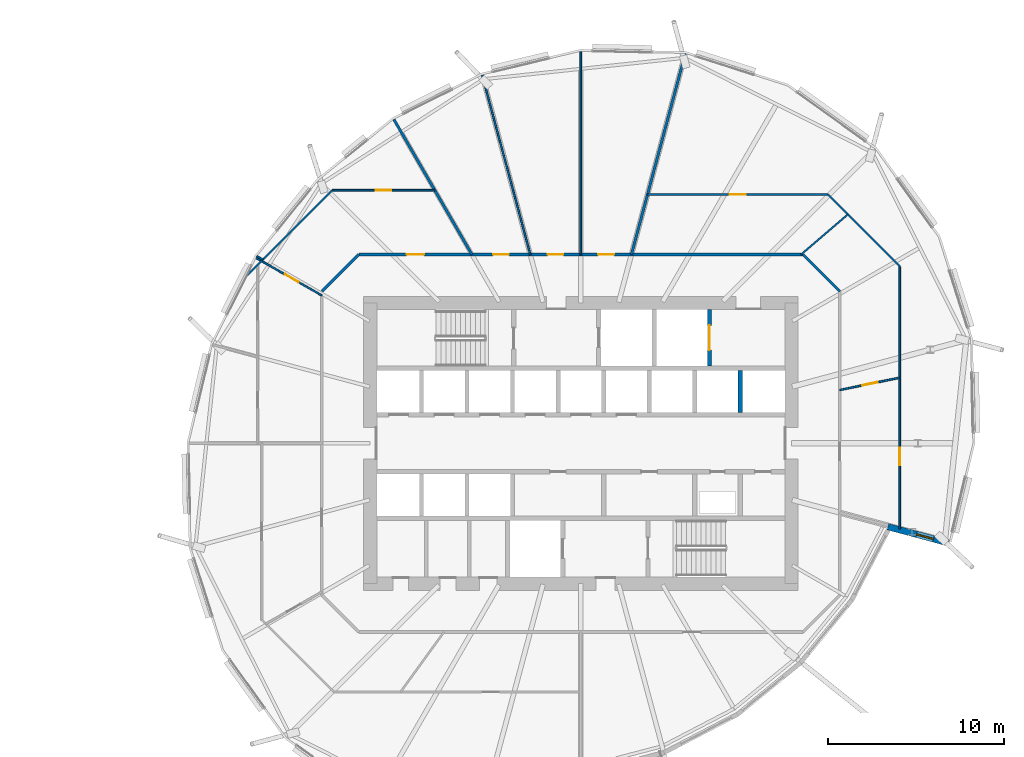
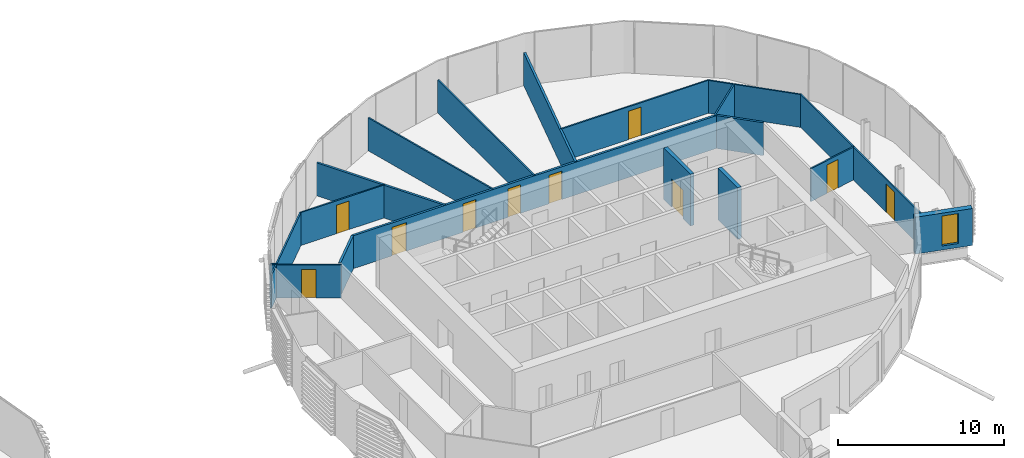
# One storey, part 27 of 43: 20 walls, 10 doors, 1 window, 11 openings.
"""IFC4 building model written with IfcOpenShell, lengths in metres."""

import ifcopenshell
import ifcopenshell.guid

model = None  # the IFC model being written
_history = None  # IfcOwnerHistory: only IFC2X3 demands one
_inside = {}  # id of a spatial element -> (the spatial element, [elements in it])
_under = {}  # id of a project, library or spatial element -> (it, [spatial elements below it])
_declared = {}  # id of a project -> (the project, [libraries it declares])
_typed = {}  # id of a type object -> (the type object, [elements of that type])
_made_of = {}  # id of a material, layer set ... -> (it, [elements and type objects made of it])


def new_model(schema):
    """Start an empty IFC model of exactly this schema.

    Asked for "IFC4X3", IfcOpenShell would pick the latest addendum, in which some entities
    have other attributes; the version numbers below select the first issue.
    IFC2X3 requires an IfcOwnerHistory on every rooted entity: one is made here for all.
    """
    global model, _history
    if schema == "IFC4X3":
        model = ifcopenshell.file(schema_version=(4, 3, 0, 0))
    else:
        model = ifcopenshell.file(schema=schema)
    _inside.clear()
    _under.clear()
    _declared.clear()
    _typed.clear()
    _made_of.clear()
    _history = None
    if model.schema == "IFC2X3":
        org = make("IfcOrganization", Name="unknown")
        user = make(
            "IfcPersonAndOrganization",
            ThePerson=make("IfcPerson", FamilyName="unknown"),
            TheOrganization=org,
        )
        app = make(
            "IfcApplication",
            ApplicationDeveloper=org,
            Version="unknown",
            ApplicationFullName="unknown",
            ApplicationIdentifier="unknown",
        )
        _history = make(
            "IfcOwnerHistory",
            OwningUser=user,
            OwningApplication=app,
            ChangeAction="ADDED",
            CreationDate=0,
        )
    return model


def make(cls, **values):
    """One entity of the class cls with the attributes given. An attribute that is None is left unset."""
    return model.create_entity(
        cls, **{name: value for name, value in values.items() if value is not None}
    )


def rooted(cls, **values):
    """An entity with a GlobalId (a new one), such as an element, a storey or a relation."""
    return make(cls, GlobalId=ifcopenshell.guid.new(), OwnerHistory=_history, **values)


def si_unit(unit_type, name, prefix=None):
    """IfcSIUnit, for example si_unit("LENGTHUNIT", "METRE", prefix="MILLI")."""
    return make("IfcSIUnit", UnitType=unit_type, Prefix=prefix, Name=name)


def assignment(units):
    """IfcUnitAssignment: the units of a project."""
    return None if units is None else make("IfcUnitAssignment", Units=units)


def point(xyz):
    """IfcCartesianPoint."""
    return None if xyz is None else make("IfcCartesianPoint", Coordinates=xyz)


def direction(xyz):
    """IfcDirection."""
    return None if xyz is None else make("IfcDirection", DirectionRatios=xyz)


def frame(location, z_axis=None, x_axis=None):
    """IfcAxis2Placement3D, a coordinate frame: its origin and axes. An axis left out is left unset."""
    return make(
        "IfcAxis2Placement3D",
        Location=point(location),
        Axis=direction(z_axis),
        RefDirection=direction(x_axis),
    )


def frame_2d(location, x_axis=None):
    """IfcAxis2Placement2D, a coordinate frame in the plane: its origin and x axis."""
    return make(
        "IfcAxis2Placement2D", Location=point(location), RefDirection=direction(x_axis)
    )


def origin():
    """The frame at (0, 0, 0) with its axes left unset."""
    return frame((0.0, 0.0, 0.0))


def place(relative_to, where):
    """IfcLocalPlacement: puts the frame where relative to a parent placement (None: the world)."""
    return make(
        "IfcLocalPlacement", PlacementRelTo=relative_to, RelativePlacement=where
    )


def context(
    kind, dimensions, precision=None, world=None, true_north=None, identifier=None
):
    """IfcGeometricRepresentationContext, for example the 3D "Model" context."""
    return make(
        "IfcGeometricRepresentationContext",
        ContextIdentifier=identifier,
        ContextType=kind,
        CoordinateSpaceDimension=dimensions,
        Precision=precision,
        WorldCoordinateSystem=world,
        TrueNorth=true_north,
    )


def subcontext(parent, identifier, kind, view, scale=None):
    """IfcGeometricRepresentationSubContext, for example "Body" below "Model"."""
    return make(
        "IfcGeometricRepresentationSubContext",
        ContextIdentifier=identifier,
        ContextType=kind,
        ParentContext=parent,
        TargetScale=scale,
        TargetView=view,
    )


def project(units=None, contexts=None):
    """IfcProject with its units and contexts."""
    return rooted(
        "IfcProject",
        Name="project",
        RepresentationContexts=contexts,
        UnitsInContext=assignment(units),
    )


def spatial(cls, under=None, at=None, **own):
    """A site, building, storey or space (cls), placed at a placement, below another one or the project."""
    s = rooted(cls, ObjectPlacement=at, **own)
    if under is not None:
        _under.setdefault(under.id(), (under, []))[1].append(s)
    return s


def profile(cls, at=None, kind="AREA", **sizes):
    """A parametric profile (cls). Its sizes go by their IFC names, for example OverallWidth=200.0."""
    return make(cls, ProfileType=kind, Position=at, **sizes)


def rectangle(**sizes):
    """IfcRectangleProfileDef."""
    return profile("IfcRectangleProfileDef", **sizes)


def extrude(swept, where, along, depth):
    """IfcExtrudedAreaSolid: the profile swept, set in the frame where, extruded along a direction by depth."""
    return make(
        "IfcExtrudedAreaSolid",
        SweptArea=swept,
        Position=where,
        ExtrudedDirection=direction(along),
        Depth=depth,
    )


def shape(context_of_items, identifier, shape_type, items):
    """IfcShapeRepresentation: the items that make up one representation, for example the "Body"."""
    return make(
        "IfcShapeRepresentation",
        ContextOfItems=context_of_items,
        RepresentationIdentifier=identifier,
        RepresentationType=shape_type,
        Items=items,
    )


def material(Name=None, Category=None):
    """IfcMaterial."""
    return make("IfcMaterial", Name=Name, Category=Category)


def layer(
    of_material, thickness, ventilated=None, Name=None, Category=None, Priority=None
):
    """IfcMaterialLayer: one layer of a wall or slab, of a material (None: an air gap)."""
    return make(
        "IfcMaterialLayer",
        Material=of_material,
        LayerThickness=thickness,
        IsVentilated=ventilated,
        Name=Name,
        Category=Category,
        Priority=Priority,
    )


def layer_set(layers, Name=None):
    """IfcMaterialLayerSet."""
    return make("IfcMaterialLayerSet", MaterialLayers=layers, LayerSetName=Name)


def made_of(thing, what):
    """Note that an element or type object is made of a material, layer set ...; save() writes the relation."""
    if what is not None:
        _made_of.setdefault(what.id(), (what, []))[1].append(thing)
    return thing


def type_object(cls, material=None, **own):
    """A type object (cls), such as IfcWallType, which elements share."""
    return made_of(rooted(cls, **own), material)


def element(
    cls,
    number,
    at=None,
    inside=None,
    cuts=None,
    type_object=None,
    material=None,
    context=None,
    identifier="Body",
    shape_type=None,
    held_by="IfcProductDefinitionShape",
    body=None,
    shapes=None,
    **own,
):
    """One element of the class cls, such as IfcWall. Its Tag is "e" and its number.

    at: its placement. inside: the storey or other place that contains it. cuts: it is an
    opening in that element (IfcRelVoidsElement). A single representation is given by context,
    identifier, shape_type and body (its items); several are given by shapes. held_by: the class
    of the entity that holds the representations. save() writes the other relations.
    """
    e = rooted(cls, Tag="e%d" % number, ObjectPlacement=at, **own)
    if body is not None:
        shapes = [shape(context, identifier, shape_type, body)]
    if shapes is not None:
        e.Representation = make(held_by, Representations=shapes)
    if inside is not None:
        _inside.setdefault(inside.id(), (inside, []))[1].append(e)
    if cuts is not None:
        rooted(
            "IfcRelVoidsElement", RelatingBuildingElement=cuts, RelatedOpeningElement=e
        )
    if type_object is not None:
        _typed.setdefault(type_object.id(), (type_object, []))[1].append(e)
    return made_of(e, material)


def fill(opening, filler):
    """IfcRelFillsElement: the door or window that sits in an opening."""
    return rooted(
        "IfcRelFillsElement",
        RelatingOpeningElement=opening,
        RelatedBuildingElement=filler,
    )


def aggregate(whole, parts):
    """IfcRelAggregates: a whole, such as a stair, and the parts it consists of."""
    return rooted("IfcRelAggregates", RelatingObject=whole, RelatedObjects=parts)


def save(model, path):
    """Write the relations noted so far, then the file.

    IfcRelAggregates (storeys below a building ...), IfcRelContainedInSpatialStructure (elements
    in a storey), IfcRelDefinesByType, IfcRelAssociatesMaterial and IfcRelDeclares: one each for
    every whole, place, type object, material and project.
    """
    for whole, parts in _under.values():
        aggregate(whole, parts)
    for where, things in _inside.values():
        rooted(
            "IfcRelContainedInSpatialStructure",
            RelatedElements=things,
            RelatingStructure=where,
        )
    for kind, things in _typed.values():
        rooted("IfcRelDefinesByType", RelatedObjects=things, RelatingType=kind)
    for what, things in _made_of.values():
        rooted("IfcRelAssociatesMaterial", RelatedObjects=things, RelatingMaterial=what)
    for by, libraries in _declared.values():
        rooted("IfcRelDeclares", RelatingContext=by, RelatedDefinitions=libraries)
    model.write(path)


model = new_model("IFC4")

# Units and contexts
model_context = context("Model", 3, precision=1e-05, world=origin(), true_north=direction((0.0, 1.0)))
body_context = subcontext(model_context, "Body", "Model", "MODEL_VIEW")
ifc_project = project(units=[si_unit("LENGTHUNIT", "METRE"), si_unit("AREAUNIT", "SQUARE_METRE"), si_unit("VOLUMEUNIT", "CUBIC_METRE"), si_unit("PLANEANGLEUNIT", "RADIAN"), si_unit("MASSUNIT", "GRAM", prefix="KILO")], contexts=[model_context])

# Site, building, storey
site_placement = place(None, origin())
site = spatial("IfcSite", under=ifc_project, at=site_placement, CompositionType="ELEMENT")
building_placement = place(site_placement, origin())
building = spatial("IfcBuilding", under=site, at=building_placement, Name="Rimbun Link Towers", CompositionType="ELEMENT")
storey_placement = place(building_placement, frame((0.0, 0.0, 81.60009765625)))
storey = spatial("IfcBuildingStorey", under=building, at=storey_placement, Name="L19", CompositionType="ELEMENT", Elevation=81.60009765625)

# Wall, opening, window
ifc_material_1 = material(Name="Dark enamelled glass spandrel on insulated aluminium backpan", Category="aluminium")
ifc_layer_1 = layer(ifc_material_1, 0.3701171875)
ifc_layer_set_1 = layer_set([ifc_layer_1], Name="CS dark enamelled spandrel wall 370")
wall_type_1 = type_object("IfcWallType", Name="CS dark enamelled spandrel wall 370", PredefinedType="STANDARD", material=ifc_layer_set_1)
wall_1_placement = place(storey_placement, frame((52.697509765625, -5.68017578125, 0.0), z_axis=(0.0, 0.0, 1.0), x_axis=(-0.965929787715, 0.258804260405, 0.0)))
wall_1 = element("IfcWall", 1, at=wall_1_placement, inside=storey, type_object=wall_type_1, Name="Crease spandrel wall", PredefinedType="STANDARD", context=body_context, shape_type="SweptSolid", body=[
    extrude(rectangle(XDim=3.580078125, YDim=0.3701171875, at=frame_2d((1.7900390625, 0.0))), origin(), (0.0, 0.0, 1.0), 2.71142578125),
])
opening_1_placement = place(wall_1_placement, frame((0.890869140625, 0.0, 0.300048828125)))
opening_1 = element("IfcOpeningElement", 2, at=opening_1_placement, cuts=wall_1, Name="Opening WR10H220", PredefinedType="OPENING", context=body_context, shape_type="SweptSolid", body=[
    extrude(rectangle(XDim=1.0, YDim=2.199951171875, at=frame_2d((0.5, 1.10009765625))), frame((0.0, 0.195068359375, 0.0), z_axis=(0.0, -1.0, 0.0), x_axis=(1.0, 0.0, 0.0)), (0.0, 0.0, 1.0), 0.39013671875),
])
ifc_material_2 = material(Name="Aluminium framed fixed window, dark tinted low-e glass", Category="aluminium")
window_type = type_object("IfcWindowType", Name="WR ribbon window 1000X2200", PartitioningType="SINGLE_PANEL", PredefinedType="WINDOW", material=ifc_material_2)
window_placement = place(opening_1_placement, origin())
window = element("IfcWindow", 3, at=window_placement, inside=storey, type_object=window_type, Name="Crease ribbon window", OverallHeight=2.199951171875, OverallWidth=1.0, PartitioningType="SINGLE_PANEL", PredefinedType="WINDOW", context=body_context, shape_type="SweptSolid", body=[
    extrude(rectangle(XDim=1.0, YDim=2.199951171875, at=frame_2d((0.5, 1.10009765625))), frame((0.0, 0.030029296875, 0.0), z_axis=(0.0, -1.0, 0.0), x_axis=(1.0, 0.0, 0.0)), (0.0, 0.0, 1.0), 0.06005859375),
])
fill(opening_1, window)

# Wall, openings, doors
ifc_material_3 = material(Name="Plasterboard on steel stud, mineral wool", Category="steel")
ifc_layer_2 = layer(ifc_material_3, 0.14990234375)
ifc_layer_set_2 = layer_set([ifc_layer_2], Name="Corridor wall EI 30 150 mm")
wall_type_2 = type_object("IfcWallType", Name="Corridor wall EI 30 150 mm", PredefinedType="PARTITIONING", material=ifc_layer_set_2)
wall_2_placement = place(storey_placement, frame((19.098388671875, 10.75, 0.0), z_axis=(0.0, 0.0, 1.0), x_axis=(1.0, 0.0, 0.0)))
wall_2 = element("IfcWall", 4, at=wall_2_placement, inside=storey, type_object=wall_type_2, Name="Corridor wall EI 30 150 mm", PredefinedType="PARTITIONING", context=body_context, shape_type="SweptSolid", body=[
    extrude(rectangle(XDim=25.30322265625, YDim=0.14990234375, at=frame_2d((12.651611328125, 0.0))), origin(), (0.0, 0.0, 1.0), 2.419921875),
])
opening_2_placement = place(wall_2_placement, frame((13.641845703125, 0.0, 0.0)))
opening_2 = element("IfcOpeningElement", 5, at=opening_2_placement, cuts=wall_2, Name="Opening D02", PredefinedType="OPENING", context=body_context, shape_type="SweptSolid", body=[
    extrude(rectangle(XDim=0.89990234375, YDim=2.10009765625, at=frame_2d((0.449951171875, 1.050048828125))), frame((0.0, 0.0849609375, 0.0), z_axis=(0.0, -1.0, 0.0), x_axis=(1.0, 0.0, 0.0)), (0.0, 0.0, 1.0), 0.169921875),
])
opening_3_placement = place(wall_2_placement, frame((10.761474609375, 0.0, 0.0)))
opening_3 = element("IfcOpeningElement", 6, at=opening_3_placement, cuts=wall_2, Name="Opening D02", PredefinedType="OPENING", context=body_context, shape_type="SweptSolid", body=[
    extrude(rectangle(XDim=0.89990234375, YDim=2.10009765625, at=frame_2d((0.449951171875, 1.050048828125))), frame((0.0, 0.0849609375, 0.0), z_axis=(0.0, -1.0, 0.0), x_axis=(1.0, 0.0, 0.0)), (0.0, 0.0, 1.0), 0.169921875),
])
opening_4_placement = place(wall_2_placement, frame((7.658203125, 0.0, 0.0)))
opening_4 = element("IfcOpeningElement", 7, at=opening_4_placement, cuts=wall_2, Name="Opening D02", PredefinedType="OPENING", context=body_context, shape_type="SweptSolid", body=[
    extrude(rectangle(XDim=0.89990234375, YDim=2.10009765625, at=frame_2d((0.449951171875, 1.050048828125))), frame((0.0, 0.0849609375, 0.0), z_axis=(0.0, -1.0, 0.0), x_axis=(1.0, 0.0, 0.0)), (0.0, 0.0, 1.0), 0.169921875),
])
opening_5_placement = place(wall_2_placement, frame((2.72265625, 0.0, 0.0)))
opening_5 = element("IfcOpeningElement", 8, at=opening_5_placement, cuts=wall_2, Name="Opening D01", PredefinedType="OPENING", context=body_context, shape_type="SweptSolid", body=[
    extrude(rectangle(XDim=1.0, YDim=2.10009765625, at=frame_2d((0.5, 1.050048828125))), frame((0.0, 0.0849609375, 0.0), z_axis=(0.0, -1.0, 0.0), x_axis=(1.0, 0.0, 0.0)), (0.0, 0.0, 1.0), 0.169921875),
])
ifc_material_4 = material(Name="Fire-resisting timber door leaf", Category="wood")
door_type_1 = type_object("IfcDoorType", Name="Fire door FD30S 1000", OperationType="NOTDEFINED", PredefinedType="DOOR", material=ifc_material_4)
door_1_placement = place(opening_5_placement, origin())
door_1 = element("IfcDoor", 9, at=door_1_placement, inside=storey, type_object=door_type_1, Name="Fire door FD30S 1000 to Reception", OperationType="SINGLE_SWING_LEFT", OverallHeight=2.10009765625, OverallWidth=1.0, PredefinedType="DOOR", context=body_context, shape_type="SweptSolid", body=[
    extrude(rectangle(XDim=1.0, YDim=2.10009765625, at=frame_2d((0.5, 1.050048828125))), frame((0.0, 0.02490234375, 0.0), z_axis=(0.0, -1.0, 0.0), x_axis=(1.0, 0.0, 0.0)), (0.0, 0.0, 1.0), 0.050048828125),
])
fill(opening_5, door_1)
ifc_material_5 = material(Name="Fire-resisting timber door leaf", Category="wood")
door_type_2 = type_object("IfcDoorType", Name="Fire door FD30S 900", OperationType="NOTDEFINED", PredefinedType="DOOR", material=ifc_material_5)
door_2_placement = place(opening_2_placement, origin())
door_2 = element("IfcDoor", 10, at=door_2_placement, inside=storey, type_object=door_type_2, Name="Fire door FD30S 900 to Cellular office", OperationType="SINGLE_SWING_RIGHT", OverallHeight=2.10009765625, OverallWidth=0.89990234375, PredefinedType="DOOR", context=body_context, shape_type="SweptSolid", body=[
    extrude(rectangle(XDim=0.89990234375, YDim=2.10009765625, at=frame_2d((0.449951171875, 1.050048828125))), frame((0.0, 0.02490234375, 0.0), z_axis=(0.0, -1.0, 0.0), x_axis=(1.0, 0.0, 0.0)), (0.0, 0.0, 1.0), 0.050048828125),
])
fill(opening_2, door_2)
door_3_placement = place(opening_3_placement, origin())
door_3 = element("IfcDoor", 11, at=door_3_placement, inside=storey, type_object=door_type_2, Name="Fire door FD30S 900 to Meeting room", OperationType="SINGLE_SWING_LEFT", OverallHeight=2.10009765625, OverallWidth=0.89990234375, PredefinedType="DOOR", context=body_context, shape_type="SweptSolid", body=[
    extrude(rectangle(XDim=0.89990234375, YDim=2.10009765625, at=frame_2d((0.449951171875, 1.050048828125))), frame((0.0, 0.02490234375, 0.0), z_axis=(0.0, -1.0, 0.0), x_axis=(1.0, 0.0, 0.0)), (0.0, 0.0, 1.0), 0.050048828125),
])
fill(opening_3, door_3)
door_4_placement = place(opening_4_placement, origin())
door_4 = element("IfcDoor", 12, at=door_4_placement, inside=storey, type_object=door_type_2, Name="Fire door FD30S 900 to Meeting room", OperationType="SINGLE_SWING_RIGHT", OverallHeight=2.10009765625, OverallWidth=0.89990234375, PredefinedType="DOOR", context=body_context, shape_type="SweptSolid", body=[
    extrude(rectangle(XDim=0.89990234375, YDim=2.10009765625, at=frame_2d((0.449951171875, 1.050048828125))), frame((0.0, 0.02490234375, 0.0), z_axis=(0.0, -1.0, 0.0), x_axis=(1.0, 0.0, 0.0)), (0.0, 0.0, 1.0), 0.050048828125),
])
fill(opening_4, door_4)

# Walls
for number, where, z_axis, x_axis, name in (
    (13, (46.5, 8.651611328125, 0.0), (0.0, 0.0, 1.0), (-0.707106781187, 0.707106781187, 0.0), "Corridor wall EI 30 150 mm"),
    (14, (19.098388671875, 10.75, 0.0), (0.0, 0.0, 1.0), (-0.707106781187, -0.707106781187, 0.0), "Corridor wall EI 30 150 mm"),
):
    element("IfcWall", number, at=place(storey_placement, frame(where, z_axis=z_axis, x_axis=x_axis)), inside=storey, type_object=wall_type_2, Name=name, PredefinedType="PARTITIONING", context=body_context, shape_type="SweptSolid", body=[
        extrude(rectangle(XDim=2.967529296875, YDim=0.14990234375, at=frame_2d((1.48388671875, 0.0))), origin(), (0.0, 0.0, 1.0), 2.419921875),
    ])

# Wall, opening, door
ifc_material_6 = material(Name="Plasterboard on steel stud", Category="steel")
ifc_layer_3 = layer(ifc_material_6, 0.10009765625)
ifc_layer_set_3 = layer_set([ifc_layer_3], Name="Plasterboard partition 100 mm")
wall_type_3 = type_object("IfcWallType", Name="Plasterboard partition 100 mm", PredefinedType="PARTITIONING", material=ifc_layer_set_3)
wall_3_placement = place(storey_placement, frame((46.5, 3.032958984375, 0.0), z_axis=(0.0, 0.0, 1.0), x_axis=(0.979498454858, 0.201451673933, 0.0)))
wall_3 = element("IfcWall", 15, at=wall_3_placement, inside=storey, type_object=wall_type_3, Name="Plasterboard partition 100 mm", PredefinedType="PARTITIONING", context=body_context, shape_type="SweptSolid", body=[
    extrude(rectangle(XDim=3.491455078125, YDim=0.10009765625, at=frame_2d((1.74560546875, 0.0))), origin(), (0.0, 0.0, 1.0), 2.419921875),
])
opening_6_placement = place(wall_3_placement, frame((1.2958984375, 0.0, 0.0)))
opening_6 = element("IfcOpeningElement", 16, at=opening_6_placement, cuts=wall_3, Name="Opening D04", PredefinedType="OPENING", context=body_context, shape_type="SweptSolid", body=[
    extrude(rectangle(XDim=0.89990234375, YDim=2.10009765625, at=frame_2d((0.449951171875, 1.050048828125))), frame((0.0, 0.06005859375, 0.0), z_axis=(0.0, -1.0, 0.0), x_axis=(1.0, 0.0, 0.0)), (0.0, 0.0, 1.0), 0.1201171875),
])
ifc_material_7 = material(Name="Timber door leaf", Category="wood")
door_type_3 = type_object("IfcDoorType", Name="Flush door 900", OperationType="NOTDEFINED", PredefinedType="DOOR", material=ifc_material_7)
door_5_placement = place(opening_6_placement, origin())
door_5 = element("IfcDoor", 17, at=door_5_placement, inside=storey, type_object=door_type_3, Name="Flush door 900 to Meeting room", OperationType="SINGLE_SWING_RIGHT", OverallHeight=2.10009765625, OverallWidth=0.89990234375, PredefinedType="DOOR", context=body_context, shape_type="SweptSolid", body=[
    extrude(rectangle(XDim=0.89990234375, YDim=2.10009765625, at=frame_2d((0.449951171875, 1.050048828125))), frame((0.0, 0.02490234375, 0.0), z_axis=(0.0, -1.0, 0.0), x_axis=(1.0, 0.0, 0.0)), (0.0, 0.0, 1.0), 0.050048828125),
])
fill(opening_6, door_5)

wall_4_placement = place(storey_placement, frame((49.919921875, 10.068359375, 0.0), z_axis=(0.0, 0.0, 1.0), x_axis=(0.0, -1.0, 0.0)))
wall_4 = element("IfcWall", 18, at=wall_4_placement, inside=storey, type_object=wall_type_3, Name="Plasterboard partition 100 mm", PredefinedType="PARTITIONING", context=body_context, shape_type="SweptSolid", body=[
    extrude(rectangle(XDim=14.93701171875, YDim=0.10009765625, at=frame_2d((7.468505859375, 0.0))), origin(), (0.0, 0.0, 1.0), 2.419921875),
])
opening_7_placement = place(wall_4_placement, frame((10.319580078125, 0.0, 0.0)))
opening_7 = element("IfcOpeningElement", 19, at=opening_7_placement, cuts=wall_4, Name="Opening D03", PredefinedType="OPENING", context=body_context, shape_type="SweptSolid", body=[
    extrude(rectangle(XDim=1.0, YDim=2.10009765625, at=frame_2d((0.5, 1.050048828125))), frame((0.0, 0.06005859375, 0.0), z_axis=(0.0, -1.0, 0.0), x_axis=(1.0, 0.0, 0.0)), (0.0, 0.0, 1.0), 0.1201171875),
])
ifc_material_8 = material(Name="Timber door leaf", Category="wood")
door_type_4 = type_object("IfcDoorType", Name="Flush door 1000", OperationType="NOTDEFINED", PredefinedType="DOOR", material=ifc_material_8)
door_6_placement = place(opening_7_placement, origin())
door_6 = element("IfcDoor", 20, at=door_6_placement, inside=storey, type_object=door_type_4, Name="Flush door 1000 to Open office", OperationType="SINGLE_SWING_LEFT", OverallHeight=2.10009765625, OverallWidth=1.0, PredefinedType="DOOR", context=body_context, shape_type="SweptSolid", body=[
    extrude(rectangle(XDim=1.0, YDim=2.10009765625, at=frame_2d((0.5, 1.050048828125))), frame((0.0, 0.02490234375, 0.0), z_axis=(0.0, -1.0, 0.0), x_axis=(1.0, 0.0, 0.0)), (0.0, 0.0, 1.0), 0.050048828125),
])
fill(opening_7, door_6)

# Walls
wall_5_placement = place(storey_placement, frame((46.9541015625, 13.0341796875, 0.0), z_axis=(0.0, 0.0, 1.0), x_axis=(-0.759187849276, -0.650871576819, 0.0)))
element("IfcWall", 21, at=wall_5_placement, inside=storey, type_object=wall_type_3, Name="Plasterboard partition 100 mm", PredefinedType="PARTITIONING", context=body_context, shape_type="SweptSolid", body=[
    extrude(rectangle(XDim=3.509521484375, YDim=0.10009765625, at=frame_2d((1.7548828125, 0.0))), origin(), (0.0, 0.0, 1.0), 2.419921875),
])
wall_6_placement = place(storey_placement, frame((49.919921875, 10.068359375, 0.0), z_axis=(0.0, 0.0, 1.0), x_axis=(-0.707106781187, 0.707106781187, 0.0)))
element("IfcWall", 22, at=wall_6_placement, inside=storey, type_object=wall_type_3, Name="Plasterboard partition 100 mm", PredefinedType="PARTITIONING", context=body_context, shape_type="SweptSolid", body=[
    extrude(rectangle(XDim=5.800537109375, YDim=0.10009765625, at=frame_2d((2.900390625, 0.0))), origin(), (0.0, 0.0, 1.0), 2.419921875),
])

# Wall, opening, door
wall_7_placement = place(storey_placement, frame((45.818359375, 14.169921875, 0.0), z_axis=(0.0, 0.0, 1.0), x_axis=(-1.0, 0.0, 0.0)))
wall_7 = element("IfcWall", 23, at=wall_7_placement, inside=storey, type_object=wall_type_3, Name="Plasterboard partition 100 mm", PredefinedType="PARTITIONING", context=body_context, shape_type="SweptSolid", body=[
    extrude(rectangle(XDim=10.271484375, YDim=0.10009765625, at=frame_2d((5.1357421875, 0.0))), origin(), (0.0, 0.0, 1.0), 2.419921875),
])
opening_8_placement = place(wall_7_placement, frame((4.685791015625, 0.0, 0.0)))
opening_8 = element("IfcOpeningElement", 24, at=opening_8_placement, cuts=wall_7, Name="Opening D04", PredefinedType="OPENING", context=body_context, shape_type="SweptSolid", body=[
    extrude(rectangle(XDim=0.89990234375, YDim=2.10009765625, at=frame_2d((0.449951171875, 1.050048828125))), frame((0.0, 0.06005859375, 0.0), z_axis=(0.0, -1.0, 0.0), x_axis=(1.0, 0.0, 0.0)), (0.0, 0.0, 1.0), 0.1201171875),
])
door_7_placement = place(opening_8_placement, origin())
door_7 = element("IfcDoor", 25, at=door_7_placement, inside=storey, type_object=door_type_3, Name="Flush door 900 to Print room", OperationType="SINGLE_SWING_RIGHT", OverallHeight=2.10009765625, OverallWidth=0.89990234375, PredefinedType="DOOR", context=body_context, shape_type="SweptSolid", body=[
    extrude(rectangle(XDim=0.89990234375, YDim=2.10009765625, at=frame_2d((0.449951171875, 1.050048828125))), frame((0.0, 0.02490234375, 0.0), z_axis=(0.0, -1.0, 0.0), x_axis=(1.0, 0.0, 0.0)), (0.0, 0.0, 1.0), 0.050048828125),
])
fill(opening_8, door_7)

# Walls
wall_8_placement = place(storey_placement, frame((31.75, 22.328369140625, 0.0), z_axis=(0.0, 0.0, 1.0), x_axis=(0.0, -1.0, 0.0)))
element("IfcWall", 26, at=wall_8_placement, inside=storey, type_object=wall_type_3, Name="Plasterboard partition 100 mm", PredefinedType="PARTITIONING", context=body_context, shape_type="SweptSolid", body=[
    extrude(rectangle(XDim=11.578369140625, YDim=0.10009765625, at=frame_2d((5.7890625, 0.0))), origin(), (0.0, 0.0, 1.0), 2.419921875),
])
wall_9_placement = place(storey_placement, frame((26.12744140625, 20.983642578125, 0.0), z_axis=(0.0, 0.0, 1.0), x_axis=(0.258805579513, -0.965929434282, 0.0)))
element("IfcWall", 27, at=wall_9_placement, inside=storey, type_object=wall_type_3, Name="Plasterboard partition 100 mm", PredefinedType="PARTITIONING", context=body_context, shape_type="SweptSolid", body=[
    extrude(rectangle(XDim=10.5947265625, YDim=0.10009765625, at=frame_2d((5.29736328125, 0.0))), origin(), (0.0, 0.0, 1.0), 2.419921875),
])

# Wall, opening, door
wall_10_placement = place(storey_placement, frame((17.0, 8.418212890625, 0.0), z_axis=(0.0, 0.0, 1.0), x_axis=(-0.868499362521, 0.495690283645, 0.0)))
wall_10 = element("IfcWall", 28, at=wall_10_placement, inside=storey, type_object=wall_type_3, Name="Plasterboard partition 100 mm", PredefinedType="PARTITIONING", context=body_context, shape_type="SweptSolid", body=[
    extrude(rectangle(XDim=4.337158203125, YDim=0.10009765625, at=frame_2d((2.16845703125, 0.0))), origin(), (0.0, 0.0, 1.0), 2.419921875),
])
opening_9_placement = place(wall_10_placement, frame((1.53271484375, 0.0, 0.0)))
opening_9 = element("IfcOpeningElement", 29, at=opening_9_placement, cuts=wall_10, Name="Opening D04", PredefinedType="OPENING", context=body_context, shape_type="SweptSolid", body=[
    extrude(rectangle(XDim=0.89990234375, YDim=2.10009765625, at=frame_2d((0.449951171875, 1.050048828125))), frame((0.0, 0.06005859375, 0.0), z_axis=(0.0, -1.0, 0.0), x_axis=(1.0, 0.0, 0.0)), (0.0, 0.0, 1.0), 0.1201171875),
])
door_8_placement = place(opening_9_placement, origin())
door_8 = element("IfcDoor", 30, at=door_8_placement, inside=storey, type_object=door_type_3, Name="Flush door 900 to Meeting room", OperationType="SINGLE_SWING_RIGHT", OverallHeight=2.10009765625, OverallWidth=0.89990234375, PredefinedType="DOOR", context=body_context, shape_type="SweptSolid", body=[
    extrude(rectangle(XDim=0.89990234375, YDim=2.10009765625, at=frame_2d((0.449951171875, 1.050048828125))), frame((0.0, 0.02490234375, 0.0), z_axis=(0.0, -1.0, 0.0), x_axis=(1.0, 0.0, 0.0)), (0.0, 0.0, 1.0), 0.050048828125),
])
fill(opening_9, door_8)

wall_11_placement = place(storey_placement, frame((17.582275390625, 14.409912109375, 0.0), z_axis=(0.0, 0.0, 1.0), x_axis=(1.0, 0.0, 0.0)))
wall_11 = element("IfcWall", 31, at=wall_11_placement, inside=storey, type_object=wall_type_3, Name="Plasterboard partition 100 mm", PredefinedType="PARTITIONING", context=body_context, shape_type="SweptSolid", body=[
    extrude(rectangle(XDim=5.84814453125, YDim=0.10009765625, at=frame_2d((2.924072265625, 0.0))), origin(), (0.0, 0.0, 1.0), 2.419921875),
])
opening_10_placement = place(wall_11_placement, frame((2.47412109375, 0.0, 0.0)))
opening_10 = element("IfcOpeningElement", 32, at=opening_10_placement, cuts=wall_11, Name="Opening D04", PredefinedType="OPENING", context=body_context, shape_type="SweptSolid", body=[
    extrude(rectangle(XDim=0.89990234375, YDim=2.10009765625, at=frame_2d((0.449951171875, 1.050048828125))), frame((0.0, 0.06005859375, 0.0), z_axis=(0.0, -1.0, 0.0), x_axis=(1.0, 0.0, 0.0)), (0.0, 0.0, 1.0), 0.1201171875),
])
door_9_placement = place(opening_10_placement, origin())
door_9 = element("IfcDoor", 33, at=door_9_placement, inside=storey, type_object=door_type_3, Name="Flush door 900 to Executive office", OperationType="SINGLE_SWING_LEFT", OverallHeight=2.10009765625, OverallWidth=0.89990234375, PredefinedType="DOOR", context=body_context, shape_type="SweptSolid", body=[
    extrude(rectangle(XDim=0.89990234375, YDim=2.10009765625, at=frame_2d((0.449951171875, 1.050048828125))), frame((0.0, 0.02490234375, 0.0), z_axis=(0.0, -1.0, 0.0), x_axis=(1.0, 0.0, 0.0)), (0.0, 0.0, 1.0), 0.050048828125),
])
fill(opening_10, door_9)

# Walls
wall_12_placement = place(storey_placement, frame((17.582275390625, 14.409912109375, 0.0), z_axis=(0.0, 0.0, 1.0), x_axis=(-0.707106781187, -0.707106781187, 0.0)))
element("IfcWall", 34, at=wall_12_placement, inside=storey, type_object=wall_type_3, Name="Plasterboard partition 100 mm", PredefinedType="PARTITIONING", context=body_context, shape_type="SweptSolid", body=[
    extrude(rectangle(XDim=5.585693359375, YDim=0.10009765625, at=frame_2d((2.79296875, 0.0))), origin(), (0.0, 0.0, 1.0), 2.419921875),
])
wall_13_placement = place(storey_placement, frame((13.578125, 10.40576171875, 0.0), z_axis=(0.0, 0.0, 1.0), x_axis=(-0.707106781187, -0.707106781187, 0.0)))
element("IfcWall", 35, at=wall_13_placement, inside=storey, type_object=wall_type_3, Name="Plasterboard partition 100 mm", PredefinedType="PARTITIONING", context=body_context, shape_type="SweptSolid", body=[
    extrude(rectangle(XDim=1.1787109375, YDim=0.10009765625, at=frame_2d((0.58935546875, 0.0))), origin(), (0.0, 0.0, 1.0), 2.419921875),
])
wall_14_placement = place(storey_placement, frame((13.2939453125, 10.655517578125, 0.0), z_axis=(0.0, 0.0, 1.0), x_axis=(0.866237568633, -0.499632339514, 0.0)))
element("IfcWall", 36, at=wall_14_placement, inside=storey, type_object=wall_type_3, Name="Plasterboard partition 100 mm", PredefinedType="PARTITIONING", context=body_context, shape_type="SweptSolid", body=[
    extrude(rectangle(XDim=0.390869140625, YDim=0.10009765625, at=frame_2d((0.1953125, 0.0))), origin(), (0.0, 0.0, 1.0), 2.419921875),
])
ifc_material_9 = material(Name="Concrete C60/75", Category="concrete")
ifc_layer_4 = layer(ifc_material_9, 0.25)
ifc_layer_set_4 = layer_set([ifc_layer_4], Name="Shaft wall 250")
wall_type_4 = type_object("IfcWallType", Name="Shaft wall 250", PredefinedType="SHEAR", material=ifc_layer_set_4)
wall_15_placement = place(storey_placement, frame((40.83056640625, 1.75, 0.0), z_axis=(0.0, 0.0, 1.0), x_axis=(0.0, 1.0, 0.0)))
element("IfcWall", 37, at=wall_15_placement, inside=storey, type_object=wall_type_4, Name="L19 T2 core wall DN7", PredefinedType="SHEAR", context=body_context, shape_type="SweptSolid", body=[
    extrude(rectangle(XDim=2.39990234375, YDim=0.25, at=frame_2d((1.199951171875, 0.0))), origin(), (0.0, 0.0, 1.0), 3.7998046875),
])

# Wall, opening, door
wall_16_placement = place(storey_placement, frame((39.074951171875, 4.39990234375, 0.0), z_axis=(0.0, 0.0, 1.0), x_axis=(0.0, 1.0, 0.0)))
wall_16 = element("IfcWall", 38, at=wall_16_placement, inside=storey, type_object=wall_type_4, Name="L19 T2 core wall A4", PredefinedType="SHEAR", context=body_context, shape_type="SweptSolid", body=[
    extrude(rectangle(XDim=3.22509765625, YDim=0.25, at=frame_2d((1.612548828125, 0.0))), origin(), (0.0, 0.0, 1.0), 3.7998046875),
])
opening_11_placement = place(wall_16_placement, frame((0.91259765625, 0.0, 0.0)))
opening_11 = element("IfcOpeningElement", 39, at=opening_11_placement, cuts=wall_16, Name="Opening LD-T2-GL1", PredefinedType="OPENING", context=body_context, shape_type="SweptSolid", body=[
    extrude(rectangle(XDim=1.39990234375, YDim=2.10009765625, at=frame_2d((0.699951171875, 1.050048828125))), frame((0.0, 0.135009765625, 0.0), z_axis=(0.0, -1.0, 0.0), x_axis=(1.0, 0.0, 0.0)), (0.0, 0.0, 1.0), 0.27001953125),
])
ifc_material_10 = material(Name="Stainless steel grade 316", Category="steel")
door_type_5 = type_object("IfcDoorType", Name="Goods lift landing door", OperationType="DOUBLE_DOOR_SLIDING", PredefinedType="DOOR", material=ifc_material_10)
door_10_placement = place(opening_11_placement, origin())
door_10 = element("IfcDoor", 40, at=door_10_placement, inside=storey, type_object=door_type_5, Name="L19 T2 lift GL1 landing door", OperationType="DOUBLE_DOOR_SLIDING", OverallHeight=2.10009765625, OverallWidth=1.39990234375, PredefinedType="DOOR", context=body_context, shape_type="SweptSolid", body=[
    extrude(rectangle(XDim=1.39990234375, YDim=2.10009765625, at=frame_2d((0.699951171875, 1.050048828125))), frame((0.0, 0.02490234375, 0.0), z_axis=(0.0, -1.0, 0.0), x_axis=(1.0, 0.0, 0.0)), (0.0, 0.0, 1.0), 0.050048828125),
])
fill(opening_11, door_10)

# Walls
ifc_material_11 = material(Name="Plasterboard on steel stud, mineral wool", Category="steel")
ifc_layer_5 = layer(ifc_material_11, 0.14990234375)
ifc_layer_set_5 = layer_set([ifc_layer_5], Name="Tenancy separation wall EI 60 150 mm")
wall_type_5 = type_object("IfcWallType", Name="Tenancy separation wall EI 60 150 mm", PredefinedType="PARTITIONING", material=ifc_layer_set_5)
wall_17_placement = place(storey_placement, frame((34.630615234375, 10.75, 0.0), z_axis=(0.0, 0.0, 1.0), x_axis=(0.258804356707, 0.965929761913, 0.0)))
element("IfcWall", 41, at=wall_17_placement, inside=storey, type_object=wall_type_5, Name="Tenancy separation wall EI 60 150 mm", PredefinedType="PARTITIONING", context=body_context, shape_type="SweptSolid", body=[
    extrude(rectangle(XDim=11.85693359375, YDim=0.14990234375, at=frame_2d((5.928466796875, 0.0))), origin(), (0.0, 0.0, 1.0), 2.419921875),
])
wall_18_placement = place(storey_placement, frame((25.54345703125, 10.75, 0.0), z_axis=(0.0, 0.0, 1.0), x_axis=(-0.49999004235, 0.86603115276, 0.0)))
element("IfcWall", 42, at=wall_18_placement, inside=storey, type_object=wall_type_5, Name="Tenancy separation wall EI 60 150 mm", PredefinedType="PARTITIONING", context=body_context, shape_type="SweptSolid", body=[
    extrude(rectangle(XDim=8.898193359375, YDim=0.14990234375, at=frame_2d((4.44921875, 0.0))), origin(), (0.0, 0.0, 1.0), 2.419921875),
])

save(model, "model.ifc")
